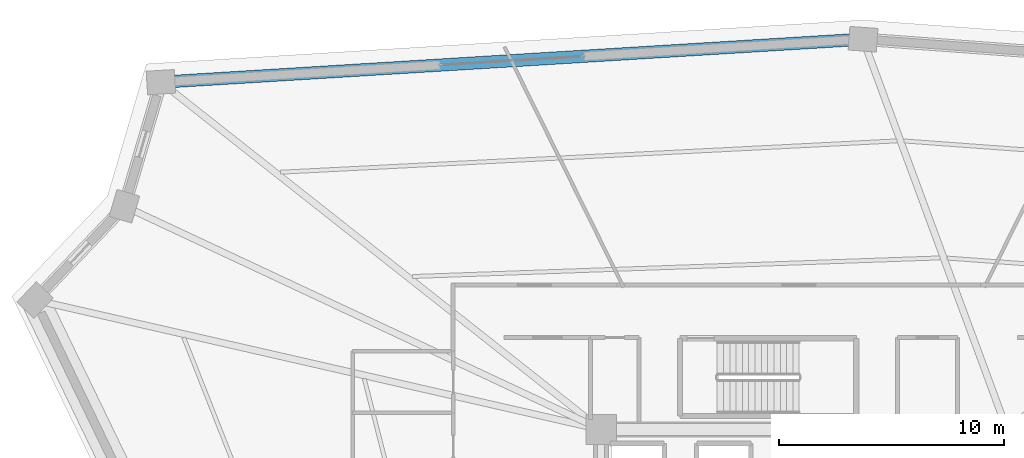
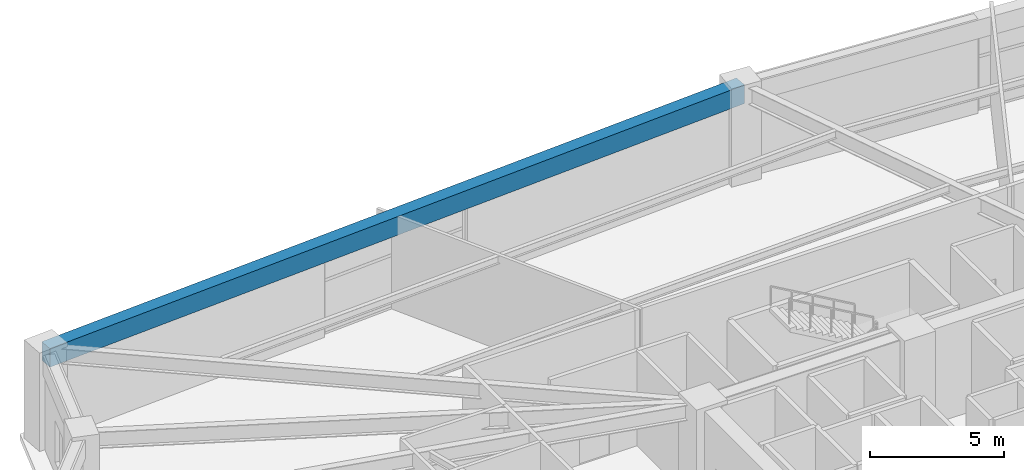
# One storey, part 19 of 39: 1 beam.
"""IFC4 building model written with IfcOpenShell, lengths in metres."""

from ifc_helpers import new_model, si_unit, direction, frame, origin, origin_2d, place, context, subcontext, project, spatial, rectangle, extrude, source, transform, mapped, material, material_profile, profile_set, type_object, element, save


model = new_model("IFC4")

# Units and contexts
model_context = context("Model", 3, precision=1e-05, world=origin(), true_north=direction((0.0, 1.0)))
body_context = subcontext(model_context, "Body", "Model", "MODEL_VIEW")
ifc_project = project(units=[si_unit("LENGTHUNIT", "METRE"), si_unit("AREAUNIT", "SQUARE_METRE"), si_unit("VOLUMEUNIT", "CUBIC_METRE"), si_unit("PLANEANGLEUNIT", "RADIAN"), si_unit("MASSUNIT", "GRAM", prefix="KILO")], contexts=[model_context])

# Site, building, storey
site_placement = place(None, origin())
site = spatial("IfcSite", under=ifc_project, at=site_placement, CompositionType="ELEMENT")
building_placement = place(site_placement, origin())
building = spatial("IfcBuilding", under=site, at=building_placement, Name="Liaohun Quay Tower", CompositionType="ELEMENT")
storey_placement = place(building_placement, frame((0.0, 0.0, 189.75)))
storey = spatial("IfcBuildingStorey", under=building, at=storey_placement, Name="L49", CompositionType="ELEMENT", Elevation=189.75)

# Beam
ifc_material = material(Name="Precast concrete C50", Category="concrete")
ifc_material_profile = material_profile(ifc_material, rectangle(XDim=0.550048828125, YDim=0.85009765625, at=origin_2d()), Name="RC550x850")
ifc_profile_set = profile_set([ifc_material_profile], Name="Precast concrete C50")
beam_type = type_object("IfcBeamType", Name="BM-SPD-Z3", PredefinedType="SPANDREL", material=ifc_profile_set)
shared_shape = source(origin(), body_context, "Body", "SweptSolid", [
    extrude(rectangle(XDim=0.550048828125, YDim=0.85009765625, at=origin_2d()), origin(), (0.0, 0.0, 1.0), 31.199462890625),
])
beam_placement = place(storey_placement, frame((31.47900390625, 76.906005859375, 3.89501953125), z_axis=(0.99813219255, 0.061091130245, 0.0), x_axis=(-0.061091130245, 0.99813219255, 0.0)))
element("IfcBeam", 1, at=beam_placement, inside=storey, type_object=beam_type, Name="L49 Precast Spandrel Beam PC05-PC06", PredefinedType="SPANDREL", context=body_context, shape_type="MappedRepresentation", body=[
    mapped(shared_shape, transform((0.0, 0.0, 0.0), x_axis=(1.0, 0.0, 0.0), y_axis=(0.0, 1.0, 0.0), z_axis=(0.0, 0.0, 1.0), scale=1.0)),
])

save(model, "model.ifc")
